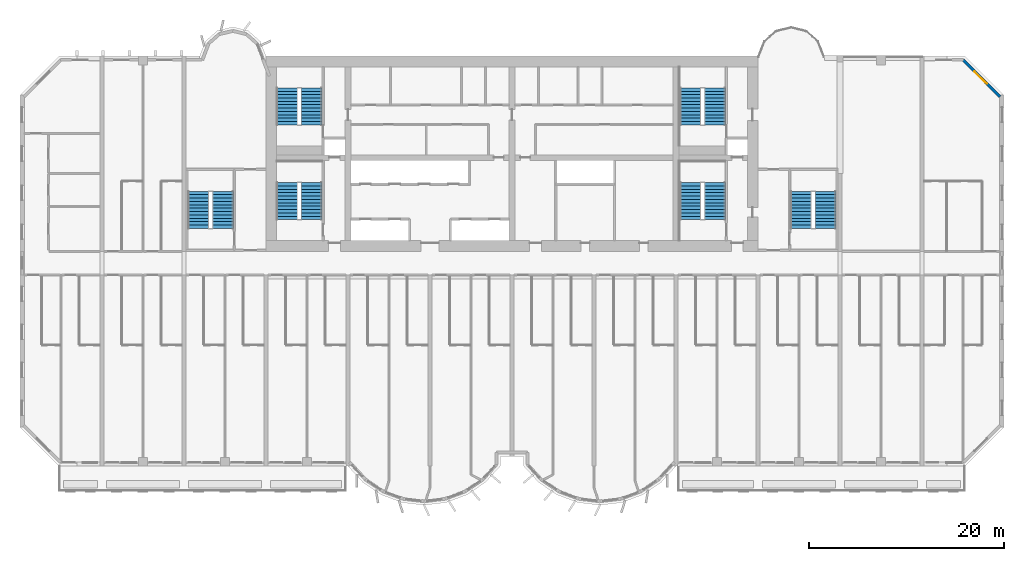
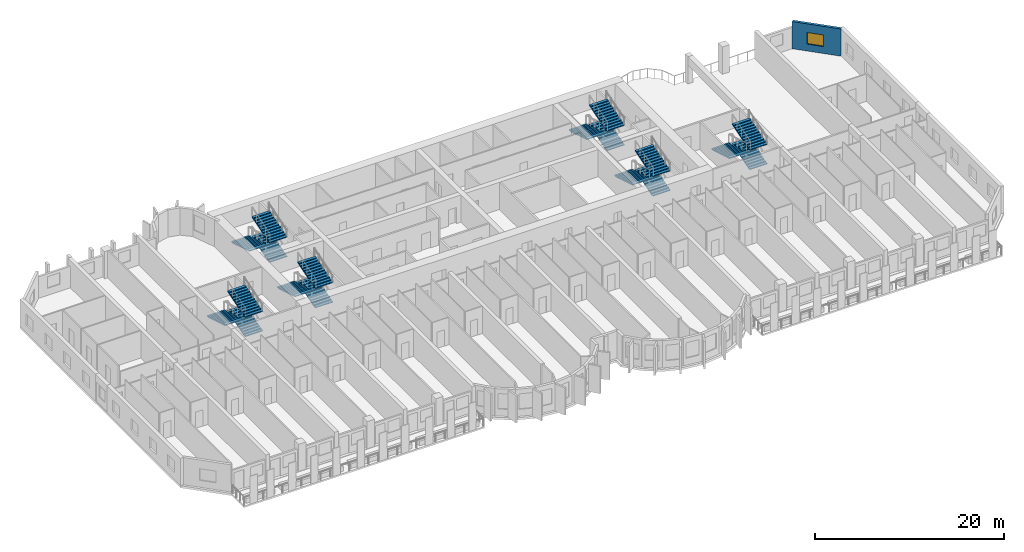
# One storey, part 11 of 14: 18 stair flights, 1 wall, 1 window, 1 opening, 6 elements without a shape of their own.
"""IFC4 building model written with IfcOpenShell, lengths in metres."""

from ifc_helpers import new_model, si_unit, direction, frame, frame_2d, origin, place, context, subcontext, project, spatial, polyline, rectangle, outline, extrude, source, transform, mapped, material, layer, layer_set, type_object, element, fill, aggregate, save


model = new_model("IFC4")

# Units and contexts
model_context = context("Model", 3, precision=1e-05, world=origin(), true_north=direction((0.0, 1.0)))
body_context = subcontext(model_context, "Body", "Model", "MODEL_VIEW")
ifc_project = project(units=[si_unit("LENGTHUNIT", "METRE"), si_unit("AREAUNIT", "SQUARE_METRE"), si_unit("VOLUMEUNIT", "CUBIC_METRE"), si_unit("PLANEANGLEUNIT", "RADIAN"), si_unit("MASSUNIT", "GRAM", prefix="KILO")], contexts=[model_context])

# Site, building, storey
site_placement = place(None, origin())
site = spatial("IfcSite", under=ifc_project, at=site_placement, CompositionType="ELEMENT")
building_placement = place(site_placement, origin())
building = spatial("IfcBuilding", under=site, at=building_placement, Name="Vanashikhar Sky Hotel", CompositionType="ELEMENT")
storey_placement = place(building_placement, frame((0.0, 0.0, 27.800048828125)))
storey = spatial("IfcBuildingStorey", under=building, at=storey_placement, Name="L05", CompositionType="ELEMENT", Elevation=27.800048828125)

# Wall, opening, window
ifc_material_1 = material(Name="Concrete M50", Category="concrete")
ifc_layer = layer(ifc_material_1, 0.300048828125)
ifc_layer_set = layer_set([ifc_layer], Name="Lobe wall 300")
wall_type = type_object("IfcWallType", Name="Lobe wall 300", PredefinedType="SOLIDWALL", material=ifc_layer_set)
shared_shape_1 = source(origin(), body_context, "Body", "SweptSolid", [
    extrude(rectangle(XDim=5.32568359375, YDim=0.300048828125, at=frame_2d((2.662841796875, 0.0))), origin(), (0.0, 0.0, 1.0), 3.52001953125),
])
wall_placement = place(storey_placement, frame((100.39990234375, 37.834228515625, 0.0), z_axis=(0.0, 0.0, 1.0), x_axis=(-0.707083859269, 0.707129702361, 0.0)))
wall = element("IfcWall", 1, at=wall_placement, inside=storey, type_object=wall_type, Name="Corner wall", PredefinedType="SOLIDWALL", context=body_context, shape_type="MappedRepresentation", body=[
    mapped(shared_shape_1, transform((0.0, 0.0, 0.0), scale=1.0)),
])
shared_shape_2 = source(origin(), body_context, "Body", "SweptSolid", [
    extrude(rectangle(XDim=1.800048828125, YDim=1.5, at=frame_2d((0.89990234375, 0.75))), frame((0.0, 0.16015625, 0.0), z_axis=(0.0, -1.0, 0.0), x_axis=(1.0, 0.0, 0.0)), (0.0, 0.0, 1.0), 0.320068359375),
])
opening_placement = place(wall_placement, frame((1.888916015625, 0.0, 0.89990234375)))
opening = element("IfcOpeningElement", 2, at=opening_placement, cuts=wall, Name="Opening WN-4", PredefinedType="OPENING", context=body_context, shape_type="MappedRepresentation", body=[
    mapped(shared_shape_2, transform((0.0, 0.0, 0.0), scale=1.0)),
])
ifc_material_2 = material(Name="Glass", Category="glass")
window_type = type_object("IfcWindowType", Name="Corner window 1800 x 1500", PartitioningType="SINGLE_PANEL", PredefinedType="WINDOW", material=ifc_material_2)
shared_shape_3 = source(origin(), body_context, "Body", "SweptSolid", [
    extrude(rectangle(XDim=1.800048828125, YDim=1.5, at=frame_2d((0.89990234375, 0.75))), frame((0.0, 0.030029296875, 0.0), z_axis=(0.0, -1.0, 0.0), x_axis=(1.0, 0.0, 0.0)), (0.0, 0.0, 1.0), 0.06005859375),
])
window_placement = place(opening_placement, origin())
window = element("IfcWindow", 3, at=window_placement, inside=storey, type_object=window_type, Name="Window WN-4", OverallHeight=1.5, OverallWidth=1.800048828125, PartitioningType="SINGLE_PANEL", PredefinedType="WINDOW", context=body_context, shape_type="MappedRepresentation", body=[
    mapped(shared_shape_3, transform((0.0, 0.0, 0.0), scale=1.0)),
])
fill(opening, window)

# Stair, stair flights
ifc_material_3 = material(Name="Concrete M40", Category="concrete")
stair_type = type_object("IfcStairType", Name="Exit stair 2150", PredefinedType="DOUBLE_RETURN_STAIR", material=ifc_material_3)
stair_1_placement = place(storey_placement, origin())
stair_1 = element("IfcStair", 4, at=stair_1_placement, inside=storey, type_object=stair_type, Name="L05 Exit stair 1", PredefinedType="DOUBLE_RETURN_STAIR")
stair_flight_type = type_object("IfcStairFlightType", Name="Stair flight 2150", PredefinedType="STRAIGHT", material=ifc_material_3)
shared_shape_4 = source(origin(), body_context, "Body", "SweptSolid", [
    extrude(outline(polyline([(0.0, 0.0), (0.0, 0.10546875), (0.345458984375, 0.10546875), (0.345458984375, 0.211181640625), (0.69091796875, 0.211181640625), (0.69091796875, 0.316650390625), (1.036376953125, 0.316650390625), (1.036376953125, 0.422119140625), (1.3818359375, 0.422119140625), (1.3818359375, 0.52783203125), (1.727294921875, 0.52783203125), (1.727294921875, 0.63330078125), (2.07275390625, 0.63330078125), (2.07275390625, 0.73876953125), (2.418212890625, 0.73876953125), (2.418212890625, 0.844482421875), (2.763671875, 0.844482421875), (2.763671875, 0.949951171875), (3.109130859375, 0.949951171875), (3.109130859375, 1.0556640625), (3.45458984375, 1.0556640625), (3.45458984375, 1.1611328125), (3.800048828125, 1.1611328125), (3.800048828125, 1.2666015625), (3.800048828125, 1.035400390625), (0.4111328125, 0.0), (0.0, 0.0)])), frame((0.0, 1.074951171875, 0.0), z_axis=(0.0, -1.0, 0.0), x_axis=(1.0, 0.0, 0.0)), (0.0, 0.0, 1.0), 2.14990234375),
])
stair_flight_1_placement = place(storey_placement, frame((29.875, 25.25, 0.0), z_axis=(0.0, 0.0, 1.0), x_axis=(0.0, 1.0, 0.0)))
stair_flight_1 = element("IfcStairFlight", 5, at=stair_flight_1_placement, type_object=stair_flight_type, Name="ST-C1 flight 1", NumberOfRisers=12, NumberOfTreads=11, PredefinedType="STRAIGHT", RiserHeight=0.105555556, TreadLength=0.345454545, context=body_context, shape_type="MappedRepresentation", body=[
    mapped(shared_shape_4, transform((0.0, 0.0, 0.0), scale=1.0)),
])
stair_flight_2_placement = place(storey_placement, frame((27.375, 29.050048828125, 1.2666015625), z_axis=(0.0, 0.0, 1.0), x_axis=(0.0, -1.0, 0.0)))
stair_flight_2 = element("IfcStairFlight", 6, at=stair_flight_2_placement, type_object=stair_flight_type, Name="ST-C1 flight 2", NumberOfRisers=12, NumberOfTreads=11, PredefinedType="STRAIGHT", RiserHeight=0.105555556, TreadLength=0.345454545, context=body_context, shape_type="MappedRepresentation", body=[
    mapped(shared_shape_4, transform((0.0, 0.0, 0.0), scale=1.0)),
])
stair_flight_3_placement = place(storey_placement, frame((29.875, 25.25, 2.533203125), z_axis=(0.0, 0.0, 1.0), x_axis=(0.0, 1.0, 0.0)))
stair_flight_3 = element("IfcStairFlight", 7, at=stair_flight_3_placement, type_object=stair_flight_type, Name="ST-C1 flight 3", NumberOfRisers=12, NumberOfTreads=11, PredefinedType="STRAIGHT", RiserHeight=0.105555556, TreadLength=0.345454545, context=body_context, shape_type="MappedRepresentation", body=[
    mapped(shared_shape_4, transform((0.0, 0.0, 0.0), scale=1.0)),
])
aggregate(stair_1, [stair_flight_1, stair_flight_2, stair_flight_3])

stair_2_placement = place(storey_placement, origin())
stair_2 = element("IfcStair", 8, at=stair_2_placement, inside=storey, type_object=stair_type, Name="L05 Exit stair 2", PredefinedType="DOUBLE_RETURN_STAIR")
stair_flight_4_placement = place(storey_placement, frame((71.175048828125, 25.25, 0.0), z_axis=(0.0, 0.0, 1.0), x_axis=(0.0, 1.0, 0.0)))
stair_flight_4 = element("IfcStairFlight", 9, at=stair_flight_4_placement, type_object=stair_flight_type, Name="ST-C2 flight 1", NumberOfRisers=12, NumberOfTreads=11, PredefinedType="STRAIGHT", RiserHeight=0.105555556, TreadLength=0.345454545, context=body_context, shape_type="MappedRepresentation", body=[
    mapped(shared_shape_4, transform((0.0, 0.0, 0.0), scale=1.0)),
])
stair_flight_5_placement = place(storey_placement, frame((68.675048828125, 29.050048828125, 1.2666015625), z_axis=(0.0, 0.0, 1.0), x_axis=(0.0, -1.0, 0.0)))
stair_flight_5 = element("IfcStairFlight", 10, at=stair_flight_5_placement, type_object=stair_flight_type, Name="ST-C2 flight 2", NumberOfRisers=12, NumberOfTreads=11, PredefinedType="STRAIGHT", RiserHeight=0.105555556, TreadLength=0.345454545, context=body_context, shape_type="MappedRepresentation", body=[
    mapped(shared_shape_4, transform((0.0, 0.0, 0.0), scale=1.0)),
])
stair_flight_6_placement = place(storey_placement, frame((71.175048828125, 25.25, 2.533203125), z_axis=(0.0, 0.0, 1.0), x_axis=(0.0, 1.0, 0.0)))
stair_flight_6 = element("IfcStairFlight", 11, at=stair_flight_6_placement, type_object=stair_flight_type, Name="ST-C2 flight 3", NumberOfRisers=12, NumberOfTreads=11, PredefinedType="STRAIGHT", RiserHeight=0.105555556, TreadLength=0.345454545, context=body_context, shape_type="MappedRepresentation", body=[
    mapped(shared_shape_4, transform((0.0, 0.0, 0.0), scale=1.0)),
])
aggregate(stair_2, [stair_flight_4, stair_flight_5, stair_flight_6])

stair_3_placement = place(storey_placement, origin())
stair_3 = element("IfcStair", 12, at=stair_3_placement, inside=storey, type_object=stair_type, Name="L05 Exit stair 3", PredefinedType="DOUBLE_RETURN_STAIR")
stair_flight_7_placement = place(storey_placement, frame((20.77490234375, 24.35009765625, 0.0), z_axis=(0.0, 0.0, 1.0), x_axis=(0.0, 1.0, 0.0)))
stair_flight_7 = element("IfcStairFlight", 13, at=stair_flight_7_placement, type_object=stair_flight_type, Name="ST-W flight 1", NumberOfRisers=12, NumberOfTreads=11, PredefinedType="STRAIGHT", RiserHeight=0.105555556, TreadLength=0.345454545, context=body_context, shape_type="MappedRepresentation", body=[
    mapped(shared_shape_4, transform((0.0, 0.0, 0.0), scale=1.0)),
])
stair_flight_8_placement = place(storey_placement, frame((18.27490234375, 28.14990234375, 1.2666015625), z_axis=(0.0, 0.0, 1.0), x_axis=(0.0, -1.0, 0.0)))
stair_flight_8 = element("IfcStairFlight", 14, at=stair_flight_8_placement, type_object=stair_flight_type, Name="ST-W flight 2", NumberOfRisers=12, NumberOfTreads=11, PredefinedType="STRAIGHT", RiserHeight=0.105555556, TreadLength=0.345454545, context=body_context, shape_type="MappedRepresentation", body=[
    mapped(shared_shape_4, transform((0.0, 0.0, 0.0), scale=1.0)),
])
stair_flight_9_placement = place(storey_placement, frame((20.77490234375, 24.35009765625, 2.533203125), z_axis=(0.0, 0.0, 1.0), x_axis=(0.0, 1.0, 0.0)))
stair_flight_9 = element("IfcStairFlight", 15, at=stair_flight_9_placement, type_object=stair_flight_type, Name="ST-W flight 3", NumberOfRisers=12, NumberOfTreads=11, PredefinedType="STRAIGHT", RiserHeight=0.105555556, TreadLength=0.345454545, context=body_context, shape_type="MappedRepresentation", body=[
    mapped(shared_shape_4, transform((0.0, 0.0, 0.0), scale=1.0)),
])
aggregate(stair_3, [stair_flight_7, stair_flight_8, stair_flight_9])

stair_4_placement = place(storey_placement, origin())
stair_4 = element("IfcStair", 16, at=stair_4_placement, inside=storey, type_object=stair_type, Name="L05 Exit stair 4", PredefinedType="DOUBLE_RETURN_STAIR")
stair_flight_10_placement = place(storey_placement, frame((82.52490234375, 24.35009765625, 0.0), z_axis=(0.0, 0.0, 1.0), x_axis=(0.0, 1.0, 0.0)))
stair_flight_10 = element("IfcStairFlight", 17, at=stair_flight_10_placement, type_object=stair_flight_type, Name="ST-E flight 1", NumberOfRisers=12, NumberOfTreads=11, PredefinedType="STRAIGHT", RiserHeight=0.105555556, TreadLength=0.345454545, context=body_context, shape_type="MappedRepresentation", body=[
    mapped(shared_shape_4, transform((0.0, 0.0, 0.0), scale=1.0)),
])
stair_flight_11_placement = place(storey_placement, frame((80.02490234375, 28.14990234375, 1.2666015625), z_axis=(0.0, 0.0, 1.0), x_axis=(0.0, -1.0, 0.0)))
stair_flight_11 = element("IfcStairFlight", 18, at=stair_flight_11_placement, type_object=stair_flight_type, Name="ST-E flight 2", NumberOfRisers=12, NumberOfTreads=11, PredefinedType="STRAIGHT", RiserHeight=0.105555556, TreadLength=0.345454545, context=body_context, shape_type="MappedRepresentation", body=[
    mapped(shared_shape_4, transform((0.0, 0.0, 0.0), scale=1.0)),
])
stair_flight_12_placement = place(storey_placement, frame((82.52490234375, 24.35009765625, 2.533203125), z_axis=(0.0, 0.0, 1.0), x_axis=(0.0, 1.0, 0.0)))
stair_flight_12 = element("IfcStairFlight", 19, at=stair_flight_12_placement, type_object=stair_flight_type, Name="ST-E flight 3", NumberOfRisers=12, NumberOfTreads=11, PredefinedType="STRAIGHT", RiserHeight=0.105555556, TreadLength=0.345454545, context=body_context, shape_type="MappedRepresentation", body=[
    mapped(shared_shape_4, transform((0.0, 0.0, 0.0), scale=1.0)),
])
aggregate(stair_4, [stair_flight_10, stair_flight_11, stair_flight_12])

stair_5_placement = place(storey_placement, origin())
stair_5 = element("IfcStair", 20, at=stair_5_placement, inside=storey, type_object=stair_type, Name="L05 Exit stair 5", PredefinedType="DOUBLE_RETURN_STAIR")
stair_flight_13_placement = place(storey_placement, frame((29.875, 34.949951171875, 0.0), z_axis=(0.0, 0.0, 1.0), x_axis=(0.0, 1.0, 0.0)))
stair_flight_13 = element("IfcStairFlight", 21, at=stair_flight_13_placement, type_object=stair_flight_type, Name="ST-C3 flight 1", NumberOfRisers=12, NumberOfTreads=11, PredefinedType="STRAIGHT", RiserHeight=0.105555556, TreadLength=0.345454545, context=body_context, shape_type="MappedRepresentation", body=[
    mapped(shared_shape_4, transform((0.0, 0.0, 0.0), scale=1.0)),
])
stair_flight_14_placement = place(storey_placement, frame((27.375, 38.75, 1.2666015625), z_axis=(0.0, 0.0, 1.0), x_axis=(0.0, -1.0, 0.0)))
stair_flight_14 = element("IfcStairFlight", 22, at=stair_flight_14_placement, type_object=stair_flight_type, Name="ST-C3 flight 2", NumberOfRisers=12, NumberOfTreads=11, PredefinedType="STRAIGHT", RiserHeight=0.105555556, TreadLength=0.345454545, context=body_context, shape_type="MappedRepresentation", body=[
    mapped(shared_shape_4, transform((0.0, 0.0, 0.0), scale=1.0)),
])
stair_flight_15_placement = place(storey_placement, frame((29.875, 34.949951171875, 2.533203125), z_axis=(0.0, 0.0, 1.0), x_axis=(0.0, 1.0, 0.0)))
stair_flight_15 = element("IfcStairFlight", 23, at=stair_flight_15_placement, type_object=stair_flight_type, Name="ST-C3 flight 3", NumberOfRisers=12, NumberOfTreads=11, PredefinedType="STRAIGHT", RiserHeight=0.105555556, TreadLength=0.345454545, context=body_context, shape_type="MappedRepresentation", body=[
    mapped(shared_shape_4, transform((0.0, 0.0, 0.0), scale=1.0)),
])
aggregate(stair_5, [stair_flight_13, stair_flight_14, stair_flight_15])

stair_6_placement = place(storey_placement, origin())
stair_6 = element("IfcStair", 24, at=stair_6_placement, inside=storey, type_object=stair_type, Name="L05 Exit stair 6", PredefinedType="DOUBLE_RETURN_STAIR")
stair_flight_16_placement = place(storey_placement, frame((71.175048828125, 34.949951171875, 0.0), z_axis=(0.0, 0.0, 1.0), x_axis=(0.0, 1.0, 0.0)))
stair_flight_16 = element("IfcStairFlight", 25, at=stair_flight_16_placement, type_object=stair_flight_type, Name="ST-C4 flight 1", NumberOfRisers=12, NumberOfTreads=11, PredefinedType="STRAIGHT", RiserHeight=0.105555556, TreadLength=0.345454545, context=body_context, shape_type="MappedRepresentation", body=[
    mapped(shared_shape_4, transform((0.0, 0.0, 0.0), scale=1.0)),
])
stair_flight_17_placement = place(storey_placement, frame((68.675048828125, 38.75, 1.2666015625), z_axis=(0.0, 0.0, 1.0), x_axis=(0.0, -1.0, 0.0)))
stair_flight_17 = element("IfcStairFlight", 26, at=stair_flight_17_placement, type_object=stair_flight_type, Name="ST-C4 flight 2", NumberOfRisers=12, NumberOfTreads=11, PredefinedType="STRAIGHT", RiserHeight=0.105555556, TreadLength=0.345454545, context=body_context, shape_type="MappedRepresentation", body=[
    mapped(shared_shape_4, transform((0.0, 0.0, 0.0), scale=1.0)),
])
stair_flight_18_placement = place(storey_placement, frame((71.175048828125, 34.949951171875, 2.533203125), z_axis=(0.0, 0.0, 1.0), x_axis=(0.0, 1.0, 0.0)))
stair_flight_18 = element("IfcStairFlight", 27, at=stair_flight_18_placement, type_object=stair_flight_type, Name="ST-C4 flight 3", NumberOfRisers=12, NumberOfTreads=11, PredefinedType="STRAIGHT", RiserHeight=0.105555556, TreadLength=0.345454545, context=body_context, shape_type="MappedRepresentation", body=[
    mapped(shared_shape_4, transform((0.0, 0.0, 0.0), scale=1.0)),
])
aggregate(stair_6, [stair_flight_16, stair_flight_17, stair_flight_18])

save(model, "model.ifc")
